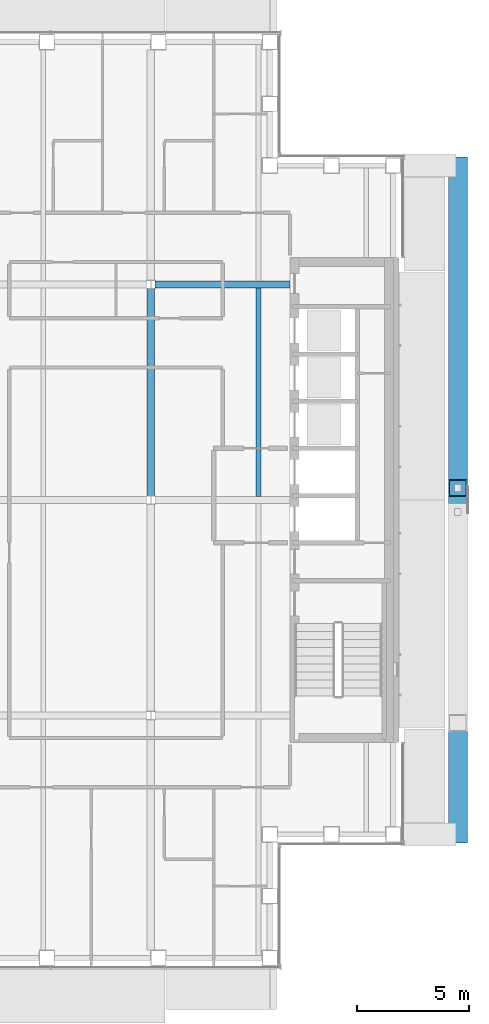
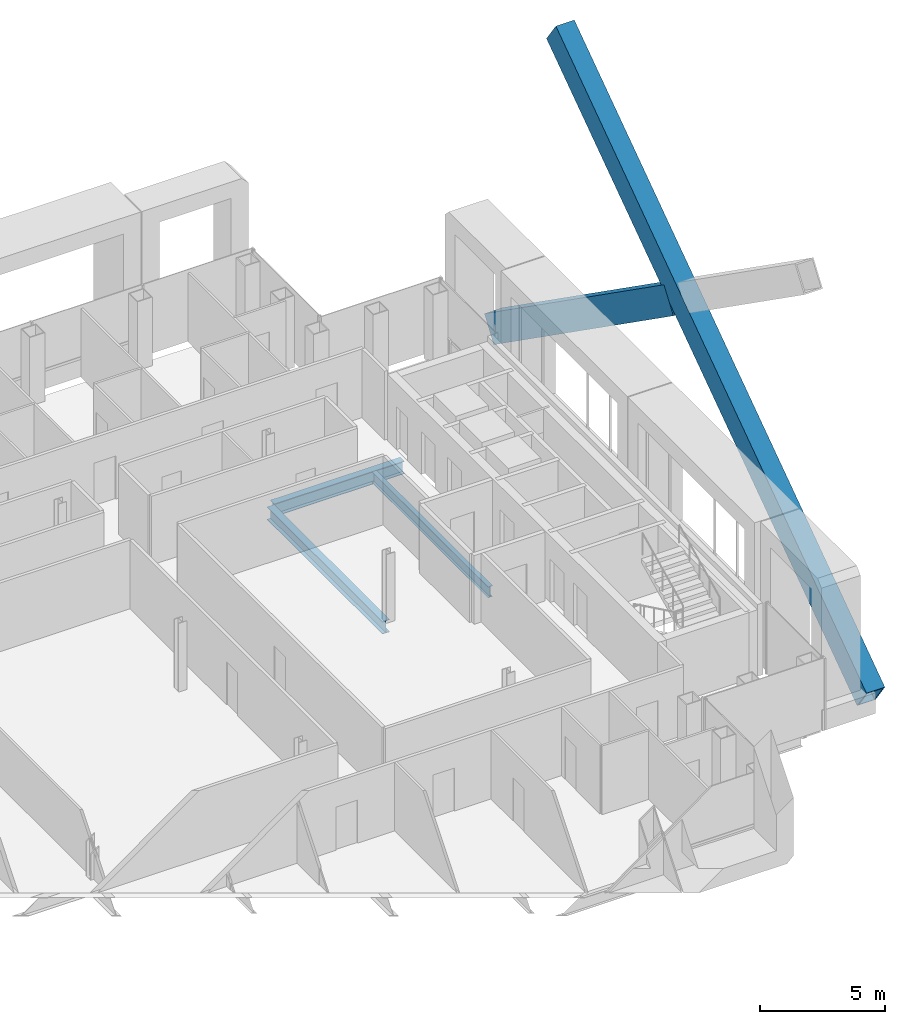
# One storey, part 7 of 21: 3 beams, 2 members.
"""IFC4 building model written with IfcOpenShell, lengths in metres."""

from ifc_helpers import new_model, si_unit, direction, frame, origin, origin_2d, place, context, subcontext, project, spatial, hollow_rectangle, i_section, extrude, material, material_profile, profile_set, type_object, element, save


model = new_model("IFC4")

# Units and contexts
model_context = context("Model", 3, precision=1e-05, world=origin(), true_north=direction((0.0, 1.0)))
body_context = subcontext(model_context, "Body", "Model", "MODEL_VIEW")
ifc_project = project(units=[si_unit("LENGTHUNIT", "METRE"), si_unit("AREAUNIT", "SQUARE_METRE"), si_unit("VOLUMEUNIT", "CUBIC_METRE"), si_unit("PLANEANGLEUNIT", "RADIAN"), si_unit("MASSUNIT", "GRAM", prefix="KILO")], contexts=[model_context])

# Site, building, storey
site_placement = place(None, origin())
site = spatial("IfcSite", under=ifc_project, at=site_placement, CompositionType="ELEMENT")
building_placement = place(site_placement, origin())
building = spatial("IfcBuilding", under=site, at=building_placement, Name="Cobrizo Arcos Hotel Tower", CompositionType="ELEMENT")
storey_placement = place(building_placement, frame((0.0, 0.0, 212.0)))
storey = spatial("IfcBuildingStorey", under=building, at=storey_placement, Name="L55", CompositionType="ELEMENT", Elevation=212.0)

# Members
ifc_material_1 = material(Name="Steel ASTM A572 Grade 50", Category="steel")
ifc_material_profile_1 = material_profile(ifc_material_1, hollow_rectangle(XDim=0.85009765625, YDim=1.300048828125, WallThickness=0.06005859375, at=origin_2d()), Name="BOX 850X1300X60")
ifc_profile_set_1 = profile_set([ifc_material_profile_1], Name="Steel ASTM A572 Grade 50")
member_type = type_object("IfcMemberType", Name="BOX 850X1300X60 perimeter brace", PredefinedType="BRACE", material=ifc_profile_set_1)
member_1_placement = place(storey_placement, frame((23.27490234375, -14.89990234375, 0.5), z_axis=(0.0, 0.81742283515, 0.576038113821), x_axis=(-1.0, 0.0, 0.0)))
element("IfcMember", 1, at=member_1_placement, inside=storey, type_object=member_type, Name="Perimeter brace PBR4, zone Z4, east face, no. 02", PredefinedType="BRACE", context=body_context, shape_type="SweptSolid", body=[
    extrude(hollow_rectangle(XDim=0.85009765625, YDim=1.300048828125, WallThickness=0.06005859375, at=origin_2d()), origin(), (0.0, 0.0, 1.0), 30.3798828125),
])
member_2_placement = place(storey_placement, frame((23.27490234375, 14.89990234375, 0.5), z_axis=(0.0, -0.817421308529, 0.576040280157), x_axis=(1.0, 0.0, 0.0)))
element("IfcMember", 2, at=member_2_placement, inside=storey, type_object=member_type, Name="Perimeter brace PBR4, zone Z4, east face, no. 03", PredefinedType="BRACE", context=body_context, shape_type="SweptSolid", body=[
    extrude(hollow_rectangle(XDim=0.85009765625, YDim=1.300048828125, WallThickness=0.06005859375, at=origin_2d()), origin(), (0.0, 0.0, 1.0), 17.567626953125),
])

# Beams
ifc_material_2 = material(Name="Steel ASTM A992 Grade 50", Category="steel")
ifc_material_profile_2 = material_profile(ifc_material_2, i_section(OverallWidth=0.209228515625, OverallDepth=0.533447265625, WebThickness=0.01025390625, FlangeThickness=0.015625, at=origin_2d()), Name="W21X62")
ifc_profile_set_2 = profile_set([ifc_material_profile_2], Name="Steel ASTM A992 Grade 50")
beam_type_1 = type_object("IfcBeamType", Name="W21X62 joist", PredefinedType="JOIST", material=ifc_profile_set_2)
beam_1_placement = place(storey_placement, frame((14.39990234375, 0.163818359375, -0.416748046875), z_axis=(0.0, 1.0, 0.0), x_axis=(-1.0, 0.0, 0.0)))
element("IfcBeam", 3, at=beam_1_placement, inside=storey, type_object=beam_type_1, Name="Floor joist J1, L55, no. 017", PredefinedType="JOIST", context=body_context, shape_type="SweptSolid", body=[
    extrude(i_section(OverallWidth=0.209228515625, OverallDepth=0.533447265625, WebThickness=0.01025390625, FlangeThickness=0.015625, at=origin_2d()), origin(), (0.0, 0.0, 1.0), 9.272216796875),
])
ifc_material_profile_3 = material_profile(ifc_material_2, i_section(OverallWidth=0.32763671875, OverallDepth=0.622314453125, WebThickness=0.015380859375, FlangeThickness=0.0244140625, at=origin_2d()), Name="W24X131")
ifc_profile_set_3 = profile_set([ifc_material_profile_3], Name="Steel ASTM A992 Grade 50")
beam_type_2 = type_object("IfcBeamType", Name="W24X131 girder", PredefinedType="BEAM", material=ifc_profile_set_3)
beam_2_placement = place(storey_placement, frame((9.78662109375, 9.60009765625, -0.461181640625), z_axis=(1.0, 0.0, 0.0), x_axis=(0.0, 1.0, 0.0)))
element("IfcBeam", 4, at=beam_2_placement, inside=storey, type_object=beam_type_2, Name="Floor girder G1, L55, no. 012", PredefinedType="BEAM", context=body_context, shape_type="SweptSolid", body=[
    extrude(i_section(OverallWidth=0.32763671875, OverallDepth=0.622314453125, WebThickness=0.015380859375, FlangeThickness=0.0244140625, at=origin_2d()), origin(), (0.0, 0.0, 1.0), 6.00341796875),
])
beam_3_placement = place(storey_placement, frame((9.60009765625, 0.186767578125, -0.461181640625), z_axis=(0.0, 1.0, 0.0), x_axis=(-1.0, 0.0, 0.0)))
element("IfcBeam", 5, at=beam_3_placement, inside=storey, type_object=beam_type_2, Name="Floor girder G1, L55, no. 023", PredefinedType="BEAM", context=body_context, shape_type="SweptSolid", body=[
    extrude(i_section(OverallWidth=0.32763671875, OverallDepth=0.622314453125, WebThickness=0.015380859375, FlangeThickness=0.0244140625, at=origin_2d()), origin(), (0.0, 0.0, 1.0), 9.2265625),
])

save(model, "model.ifc")
